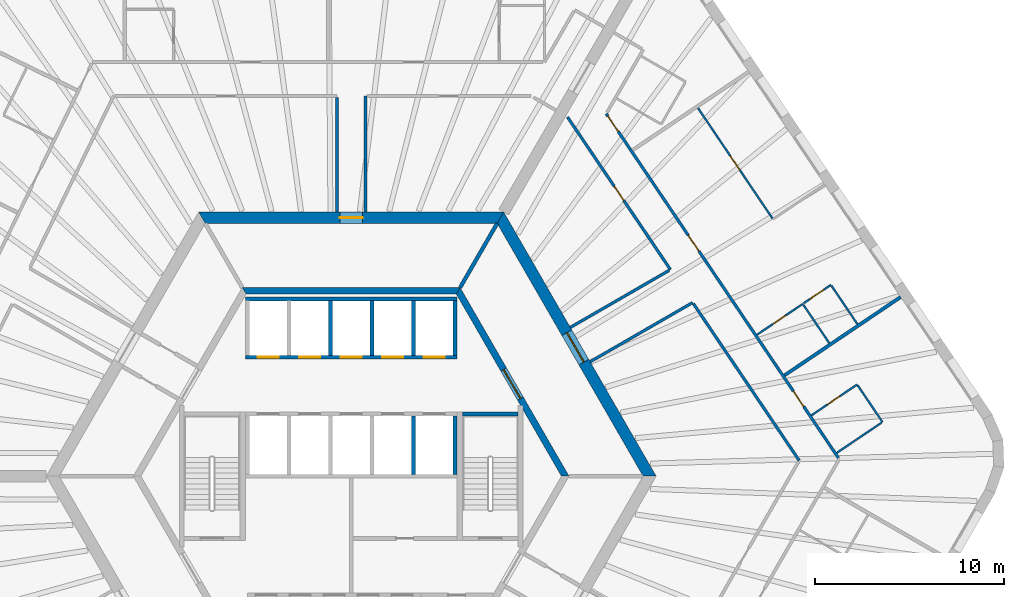
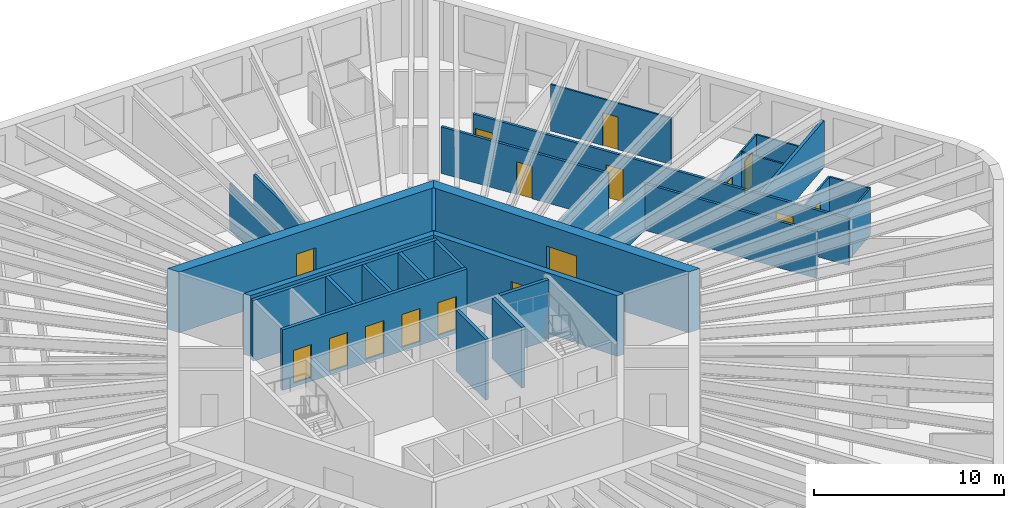
# One storey, part 9 of 12: 30 walls, 16 doors, 16 openings.
"""IFC4 building model written with IfcOpenShell, lengths in metres."""

from ifc_helpers import new_model, si_unit, direction, frame, frame_2d, origin, place, context, subcontext, project, spatial, polyline, rectangle, outline, extrude, material, layer, layer_set, type_object, element, fill, save


model = new_model("IFC4")

# Units and contexts
model_context = context("Model", 3, precision=1e-05, world=origin(), true_north=direction((0.0, 1.0)))
body_context = subcontext(model_context, "Body", "Model", "MODEL_VIEW")
ifc_project = project(units=[si_unit("LENGTHUNIT", "METRE"), si_unit("AREAUNIT", "SQUARE_METRE"), si_unit("VOLUMEUNIT", "CUBIC_METRE"), si_unit("PLANEANGLEUNIT", "RADIAN"), si_unit("MASSUNIT", "GRAM", prefix="KILO")], contexts=[model_context])

# Site, building, storey
site_placement = place(None, origin())
site = spatial("IfcSite", under=ifc_project, at=site_placement, CompositionType="ELEMENT")
building_placement = place(site_placement, origin())
building = spatial("IfcBuilding", under=site, at=building_placement, Name="Tarnside Tower", CompositionType="ELEMENT")
storey_placement = place(building_placement, frame((0.0, 0.0, 76.5)))
storey = spatial("IfcBuildingStorey", under=building, at=storey_placement, Name="L16", CompositionType="ELEMENT", Elevation=76.5)

# Wall, opening, door
ifc_material_1 = material(Name="Gypsum board partition on steel studs", Category="steel")
ifc_layer_1 = layer(ifc_material_1, 0.10009765625)
ifc_layer_set_1 = layer_set([ifc_layer_1], Name="Bathroom wall 100")
wall_type_1 = type_object("IfcWallType", Name="Bathroom wall 100", PredefinedType="PARTITIONING", material=ifc_layer_set_1)
wall_1_placement = place(storey_placement, frame((24.3916015625, 3.22509765625, 0.0), z_axis=(0.0, 0.0, 1.0), x_axis=(0.829033436212, 0.559199035802, 0.0)))
wall_1 = element("IfcWall", 1, at=wall_1_placement, inside=storey, type_object=wall_type_1, Name="Bathroom wall 04137", PredefinedType="PARTITIONING", context=body_context, shape_type="SweptSolid", body=[
    extrude(rectangle(XDim=2.925048828125, YDim=0.10009765625, at=frame_2d((1.46240234375, 0.0))), origin(), (0.0, 0.0, 1.0), 2.98779296875),
])
opening_1_placement = place(wall_1_placement, frame((1.02490234375, 0.0, 0.0)))
opening_1 = element("IfcOpeningElement", 2, at=opening_1_placement, cuts=wall_1, Name="Opening D-B1", PredefinedType="OPENING", context=body_context, shape_type="SweptSolid", body=[
    extrude(rectangle(XDim=0.800048828125, YDim=2.10009765625, at=frame_2d((0.39990234375, 1.050048828125))), frame((0.0, 0.06005859375, 0.0), z_axis=(0.0, -1.0, 0.0), x_axis=(1.0, 0.0, 0.0)), (0.0, 0.0, 1.0), 0.1201171875),
])
ifc_material_2 = material(Name="Timber door leaf", Category="wood")
door_type_1 = type_object("IfcDoorType", Name="Bathroom door 800", OperationType="NOTDEFINED", PredefinedType="DOOR", material=ifc_material_2)
door_1_placement = place(opening_1_placement, origin())
door_1 = element("IfcDoor", 3, at=door_1_placement, inside=storey, type_object=door_type_1, Name="Bathroom door 04034", OperationType="SINGLE_SWING_RIGHT", OverallHeight=2.10009765625, OverallWidth=0.800048828125, PredefinedType="DOOR", context=body_context, shape_type="SweptSolid", body=[
    extrude(rectangle(XDim=0.800048828125, YDim=2.10009765625, at=frame_2d((0.39990234375, 1.050048828125))), frame((0.0, 0.02490234375, 0.0), z_axis=(0.0, -1.0, 0.0), x_axis=(1.0, 0.0, 0.0)), (0.0, 0.0, 1.0), 0.050048828125),
])
fill(opening_1, door_1)

# Walls
wall_2_placement = place(storey_placement, frame((26.844482421875, 4.8193359375, 0.0), z_axis=(0.0, 0.0, 1.0), x_axis=(0.559223037199, -0.829017246302, 0.0)))
element("IfcWall", 4, at=wall_2_placement, inside=storey, type_object=wall_type_1, Name="Bathroom wall 04138", PredefinedType="PARTITIONING", context=body_context, shape_type="SweptSolid", body=[
    extrude(rectangle(XDim=2.35009765625, YDim=0.10009765625, at=frame_2d((1.175048828125, 0.0))), origin(), (0.0, 0.0, 1.0), 2.98779296875),
])
wall_3_placement = place(storey_placement, frame((28.1171875, 2.843017578125, 0.0), z_axis=(0.0, 0.0, 1.0), x_axis=(-0.82904649496, -0.559179675234, 0.0)))
element("IfcWall", 5, at=wall_3_placement, inside=storey, type_object=wall_type_1, Name="Bathroom wall 04139", PredefinedType="PARTITIONING", context=body_context, shape_type="SweptSolid", body=[
    extrude(rectangle(XDim=2.875, YDim=0.10009765625, at=frame_2d((1.4375, 0.0))), origin(), (0.0, 0.0, 1.0), 2.98779296875),
])

# Wall, opening, door
wall_4_placement = place(storey_placement, frame((21.509033203125, 7.49853515625, 0.0), z_axis=(0.0, 0.0, 1.0), x_axis=(0.829033436212, 0.559199035802, 0.0)))
wall_4 = element("IfcWall", 6, at=wall_4_placement, inside=storey, type_object=wall_type_1, Name="Bathroom wall 04143", PredefinedType="PARTITIONING", context=body_context, shape_type="SweptSolid", body=[
    extrude(rectangle(XDim=2.925048828125, YDim=0.10009765625, at=frame_2d((1.46240234375, 0.0))), origin(), (0.0, 0.0, 1.0), 2.98779296875),
])
opening_2_placement = place(wall_4_placement, frame((1.02490234375, 0.0, 0.0)))
opening_2 = element("IfcOpeningElement", 7, at=opening_2_placement, cuts=wall_4, Name="Opening D-B1", PredefinedType="OPENING", context=body_context, shape_type="SweptSolid", body=[
    extrude(rectangle(XDim=0.800048828125, YDim=2.10009765625, at=frame_2d((0.39990234375, 1.050048828125))), frame((0.0, 0.06005859375, 0.0), z_axis=(0.0, -1.0, 0.0), x_axis=(1.0, 0.0, 0.0)), (0.0, 0.0, 1.0), 0.1201171875),
])
door_2_placement = place(opening_2_placement, origin())
door_2 = element("IfcDoor", 8, at=door_2_placement, inside=storey, type_object=door_type_1, Name="Bathroom door 04036", OperationType="SINGLE_SWING_RIGHT", OverallHeight=2.10009765625, OverallWidth=0.800048828125, PredefinedType="DOOR", context=body_context, shape_type="SweptSolid", body=[
    extrude(rectangle(XDim=0.800048828125, YDim=2.10009765625, at=frame_2d((0.39990234375, 1.050048828125))), frame((0.0, 0.02490234375, 0.0), z_axis=(0.0, -1.0, 0.0), x_axis=(1.0, 0.0, 0.0)), (0.0, 0.0, 1.0), 0.050048828125),
])
fill(opening_2, door_2)

# Wall
wall_5_placement = place(storey_placement, frame((25.337646484375, 7.053466796875, 0.0), z_axis=(0.0, 0.0, 1.0), x_axis=(-0.559249542518, 0.82899936622, 0.0)))
element("IfcWall", 9, at=wall_5_placement, inside=storey, type_object=wall_type_1, Name="Bathroom wall 04149", PredefinedType="PARTITIONING", context=body_context, shape_type="SweptSolid", body=[
    extrude(rectangle(XDim=2.4599609375, YDim=0.10009765625, at=frame_2d((1.22998046875, 0.0))), origin(), (0.0, 0.0, 1.0), 2.98779296875),
])

# Wall, opening, door
ifc_material_3 = material(Name="Concrete C50/60", Category="concrete")
ifc_layer_2 = layer(ifc_material_3, 0.35009765625)
ifc_layer_set_2 = layer_set([ifc_layer_2], Name="Core block wall 350 C50/60")
wall_type_2 = type_object("IfcWallType", Name="Core block wall 350 C50/60", PredefinedType="SHEAR", material=ifc_layer_set_2)
wall_6_placement = place(storey_placement, frame((11.344970703125, 0.0, -0.14990234375), z_axis=(0.0, 0.0, 1.0), x_axis=(-0.499995046907, 0.866028263435, 0.0)))
wall_6 = element("IfcWall", 10, at=wall_6_placement, inside=storey, type_object=wall_type_2, Name="L16 core block wall face 6", PredefinedType="SHEAR", context=body_context, shape_type="SweptSolid", body=[
    extrude(outline(polyline([(-0.10107421875, -0.175048828125), (11.44580078125, -0.175048828125), (11.24365234375, 0.175048828125), (0.10107421875, 0.175048828125), (-0.10107421875, -0.175048828125)])), origin(), (0.0, 0.0, 1.0), 3.89990234375),
])
opening_3_placement = place(wall_6_placement, frame((4.74365234375, 0.0, 0.14990234375)))
opening_3 = element("IfcOpeningElement", 11, at=opening_3_placement, cuts=wall_6, Name="Opening CD-LOB", PredefinedType="OPENING", context=body_context, shape_type="SweptSolid", body=[
    extrude(rectangle(XDim=1.800048828125, YDim=2.39990234375, at=frame_2d((0.89990234375, 1.199951171875))), frame((0.0, 0.18505859375, 0.0), z_axis=(0.0, -1.0, 0.0), x_axis=(1.0, 0.0, 0.0)), (0.0, 0.0, 1.0), 0.3701171875),
])
ifc_material_4 = material(Name="Steel fire door", Category="steel")
door_type_2 = type_object("IfcDoorType", Name="Lobby double door FD30S 1800x2400", OperationType="NOTDEFINED", PredefinedType="DOOR", material=ifc_material_4)
door_3_placement = place(opening_3_placement, origin())
door_3 = element("IfcDoor", 12, at=door_3_placement, inside=storey, type_object=door_type_2, Name="L16 lobby block door P2", OperationType="DOUBLE_DOOR_SINGLE_SWING", OverallHeight=2.39990234375, OverallWidth=1.800048828125, PredefinedType="DOOR", context=body_context, shape_type="SweptSolid", body=[
    extrude(rectangle(XDim=1.800048828125, YDim=2.39990234375, at=frame_2d((0.89990234375, 1.199951171875))), frame((0.0, 0.02490234375, 0.0), z_axis=(0.0, -1.0, 0.0), x_axis=(1.0, 0.0, 0.0)), (0.0, 0.0, 1.0), 0.050048828125),
])
fill(opening_3, door_3)

# Wall
wall_7_placement = place(storey_placement, frame((5.672607421875, 9.824951171875, -0.14990234375), z_axis=(0.0, 0.0, 1.0), x_axis=(-1.0, 0.0, 0.0)))
element("IfcWall", 13, at=wall_7_placement, inside=storey, type_object=wall_type_2, Name="L16 core block wall face 1", PredefinedType="SHEAR", context=body_context, shape_type="SweptSolid", body=[
    extrude(outline(polyline([(-0.10107421875, -0.175048828125), (11.4462890625, -0.175048828125), (11.244140625, 0.175048828125), (0.10107421875, 0.175048828125), (-0.10107421875, -0.175048828125)])), origin(), (0.0, 0.0, 1.0), 3.89990234375),
])

# Wall, opening, door
ifc_material_5 = material(Name="Concrete C80/95", Category="concrete")
ifc_layer_3 = layer(ifc_material_5, 0.60009765625)
ifc_layer_set_3 = layer_set([ifc_layer_3], Name="Core wall Z1 600 C80/95")
wall_type_3 = type_object("IfcWallType", Name="Core wall Z1 600 C80/95", PredefinedType="SHEAR", material=ifc_layer_set_3)
wall_8_placement = place(storey_placement, frame((15.8193359375, 0.0, -0.14990234375), z_axis=(0.0, 0.0, 1.0), x_axis=(-0.499999880136, 0.866025472988, 0.0)))
wall_8 = element("IfcWall", 14, at=wall_8_placement, inside=storey, type_object=wall_type_3, Name="L16 core wall face 6", PredefinedType="SHEAR", context=body_context, shape_type="SweptSolid", body=[
    extrude(outline(polyline([(-0.17333984375, -0.300048828125), (15.99267578125, -0.300048828125), (15.64599609375, 0.300048828125), (0.17333984375, 0.300048828125), (-0.17333984375, -0.300048828125)])), origin(), (0.0, 0.0, 1.0), 3.89990234375),
])
opening_4_placement = place(wall_8_placement, frame((6.980712890625, 0.0, 0.14990234375)))
opening_4 = element("IfcOpeningElement", 15, at=opening_4_placement, cuts=wall_8, Name="Opening CD-LOB", PredefinedType="OPENING", context=body_context, shape_type="SweptSolid", body=[
    extrude(rectangle(XDim=1.800048828125, YDim=2.39990234375, at=frame_2d((0.89990234375, 1.199951171875))), frame((0.0, 0.31005859375, 0.0), z_axis=(0.0, -1.0, 0.0), x_axis=(1.0, 0.0, 0.0)), (0.0, 0.0, 1.0), 0.6201171875),
])
door_4_placement = place(opening_4_placement, origin())
door_4 = element("IfcDoor", 16, at=door_4_placement, inside=storey, type_object=door_type_2, Name="L16 core door P2", OperationType="DOUBLE_DOOR_SINGLE_SWING", OverallHeight=2.39990234375, OverallWidth=1.800048828125, PredefinedType="DOOR", context=body_context, shape_type="SweptSolid", body=[
    extrude(rectangle(XDim=1.800048828125, YDim=2.39990234375, at=frame_2d((0.89990234375, 1.199951171875))), frame((0.0, 0.02490234375, 0.0), z_axis=(0.0, -1.0, 0.0), x_axis=(1.0, 0.0, 0.0)), (0.0, 0.0, 1.0), 0.050048828125),
])
fill(opening_4, door_4)

wall_9_placement = place(storey_placement, frame((7.90966796875, 13.699951171875, -0.14990234375), z_axis=(0.0, 0.0, 1.0), x_axis=(-1.0, 0.0, 0.0)))
wall_9 = element("IfcWall", 17, at=wall_9_placement, inside=storey, type_object=wall_type_3, Name="L16 core wall face 1", PredefinedType="SHEAR", context=body_context, shape_type="SweptSolid", body=[
    extrude(outline(polyline([(-0.17333984375, -0.300048828125), (15.99267578125, -0.300048828125), (15.64599609375, 0.300048828125), (0.17333984375, 0.300048828125), (-0.17333984375, -0.300048828125)])), origin(), (0.0, 0.0, 1.0), 3.89990234375),
])
opening_5_placement = place(wall_9_placement, frame((7.309814453125, 0.0, 0.14990234375)))
opening_5 = element("IfcOpeningElement", 18, at=opening_5_placement, cuts=wall_9, Name="Opening CD-RSR", PredefinedType="OPENING", context=body_context, shape_type="SweptSolid", body=[
    extrude(rectangle(XDim=1.199951171875, YDim=2.39990234375, at=frame_2d((0.60009765625, 1.199951171875))), frame((0.0, 0.31005859375, 0.0), z_axis=(0.0, -1.0, 0.0), x_axis=(1.0, 0.0, 0.0)), (0.0, 0.0, 1.0), 0.6201171875),
])
door_type_3 = type_object("IfcDoorType", Name="Riser door FD60 1200x2400", OperationType="NOTDEFINED", PredefinedType="DOOR", material=ifc_material_4)
door_5_placement = place(opening_5_placement, origin())
door_5 = element("IfcDoor", 19, at=door_5_placement, inside=storey, type_object=door_type_3, Name="L16 core door S5", OperationType="SINGLE_SWING_LEFT", OverallHeight=2.39990234375, OverallWidth=1.199951171875, PredefinedType="DOOR", context=body_context, shape_type="SweptSolid", body=[
    extrude(rectangle(XDim=1.199951171875, YDim=2.39990234375, at=frame_2d((0.60009765625, 1.199951171875))), frame((0.0, 0.02490234375, 0.0), z_axis=(0.0, -1.0, 0.0), x_axis=(1.0, 0.0, 0.0)), (0.0, 0.0, 1.0), 0.050048828125),
])
fill(opening_5, door_5)

# Walls
ifc_layer_4 = layer(ifc_material_1, 0.14990234375)
ifc_layer_set_4 = layer_set([ifc_layer_4], Name="Corridor wall 150 EI 60")
wall_type_4 = type_object("IfcWallType", Name="Corridor wall 150 EI 60", PredefinedType="PARTITIONING", material=ifc_layer_set_4)
wall_10_placement = place(storey_placement, frame((-0.75, 20.074951171875, 0.0), z_axis=(0.0, 0.0, 1.0), x_axis=(0.0, -1.0, 0.0)))
element("IfcWall", 20, at=wall_10_placement, inside=storey, type_object=wall_type_4, Name="Corridor wall 04019", PredefinedType="PARTITIONING", context=body_context, shape_type="SweptSolid", body=[
    extrude(rectangle(XDim=6.074951171875, YDim=0.14990234375, at=frame_2d((3.03759765625, 0.0))), origin(), (0.0, 0.0, 1.0), 2.98779296875),
])
wall_11_placement = place(storey_placement, frame((0.75, 14.0, 0.0), z_axis=(0.0, 0.0, 1.0), x_axis=(0.0, 1.0, 0.0)))
element("IfcWall", 21, at=wall_11_placement, inside=storey, type_object=wall_type_4, Name="Corridor wall 04020", PredefinedType="PARTITIONING", context=body_context, shape_type="SweptSolid", body=[
    extrude(rectangle(XDim=6.14990234375, YDim=0.14990234375, at=frame_2d((3.074951171875, 0.0))), origin(), (0.0, 0.0, 1.0), 2.98779296875),
])

# Wall, openings, doors
wall_12_placement = place(storey_placement, frame((25.820556640625, 0.972412109375, 0.0), z_axis=(0.0, 0.0, 1.0), x_axis=(-0.559193816298, 0.829036956845, 0.0)))
wall_12 = element("IfcWall", 22, at=wall_12_placement, inside=storey, type_object=wall_type_4, Name="Corridor wall 04056", PredefinedType="PARTITIONING", context=body_context, shape_type="SweptSolid", body=[
    extrude(rectangle(XDim=22.001708984375, YDim=0.14990234375, at=frame_2d((11.0009765625, 0.0))), origin(), (0.0, 0.0, 1.0), 2.98779296875),
])
opening_6_placement = place(wall_12_placement, frame((3.26904296875, 0.0, 0.0)))
opening_6 = element("IfcOpeningElement", 23, at=opening_6_placement, cuts=wall_12, Name="Opening D-E1", PredefinedType="OPENING", context=body_context, shape_type="SweptSolid", body=[
    extrude(rectangle(XDim=1.0, YDim=2.10009765625, at=frame_2d((0.5, 1.050048828125))), frame((0.0, 0.0849609375, 0.0), z_axis=(0.0, -1.0, 0.0), x_axis=(1.0, 0.0, 0.0)), (0.0, 0.0, 1.0), 0.169921875),
])
opening_7_placement = place(wall_12_placement, frame((13.221435546875, 0.0, 0.0)))
opening_7 = element("IfcOpeningElement", 24, at=opening_7_placement, cuts=wall_12, Name="Opening D-E1", PredefinedType="OPENING", context=body_context, shape_type="SweptSolid", body=[
    extrude(rectangle(XDim=1.0, YDim=2.10009765625, at=frame_2d((0.5, 1.050048828125))), frame((0.0, 0.0849609375, 0.0), z_axis=(0.0, -1.0, 0.0), x_axis=(1.0, 0.0, 0.0)), (0.0, 0.0, 1.0), 0.169921875),
])
opening_8_placement = place(wall_12_placement, frame((20.851806640625, 0.0, 0.0)))
opening_8 = element("IfcOpeningElement", 25, at=opening_8_placement, cuts=wall_12, Name="Opening D-E1", PredefinedType="OPENING", context=body_context, shape_type="SweptSolid", body=[
    extrude(rectangle(XDim=1.0, YDim=2.10009765625, at=frame_2d((0.5, 1.050048828125))), frame((0.0, 0.0849609375, 0.0), z_axis=(0.0, -1.0, 0.0), x_axis=(1.0, 0.0, 0.0)), (0.0, 0.0, 1.0), 0.169921875),
])
door_type_4 = type_object("IfcDoorType", Name="Unit entrance door 1000 FD30S", OperationType="NOTDEFINED", PredefinedType="DOOR", material=ifc_material_2)
door_6_placement = place(opening_6_placement, origin())
door_6 = element("IfcDoor", 26, at=door_6_placement, inside=storey, type_object=door_type_4, Name="Unit door 04033", OperationType="SINGLE_SWING_LEFT", OverallHeight=2.10009765625, OverallWidth=1.0, PredefinedType="DOOR", context=body_context, shape_type="SweptSolid", body=[
    extrude(rectangle(XDim=1.0, YDim=2.10009765625, at=frame_2d((0.5, 1.050048828125))), frame((0.0, 0.02490234375, 0.0), z_axis=(0.0, -1.0, 0.0), x_axis=(1.0, 0.0, 0.0)), (0.0, 0.0, 1.0), 0.050048828125),
])
fill(opening_6, door_6)
door_7_placement = place(opening_7_placement, origin())
door_7 = element("IfcDoor", 27, at=door_7_placement, inside=storey, type_object=door_type_4, Name="Unit door 04035", OperationType="SINGLE_SWING_LEFT", OverallHeight=2.10009765625, OverallWidth=1.0, PredefinedType="DOOR", context=body_context, shape_type="SweptSolid", body=[
    extrude(rectangle(XDim=1.0, YDim=2.10009765625, at=frame_2d((0.5, 1.050048828125))), frame((0.0, 0.02490234375, 0.0), z_axis=(0.0, -1.0, 0.0), x_axis=(1.0, 0.0, 0.0)), (0.0, 0.0, 1.0), 0.050048828125),
])
fill(opening_7, door_7)
door_8_placement = place(opening_8_placement, origin())
door_8 = element("IfcDoor", 28, at=door_8_placement, inside=storey, type_object=door_type_4, Name="Unit door 04039", OperationType="SINGLE_SWING_LEFT", OverallHeight=2.10009765625, OverallWidth=1.0, PredefinedType="DOOR", context=body_context, shape_type="SweptSolid", body=[
    extrude(rectangle(XDim=1.0, YDim=2.10009765625, at=frame_2d((0.5, 1.050048828125))), frame((0.0, 0.02490234375, 0.0), z_axis=(0.0, -1.0, 0.0), x_axis=(1.0, 0.0, 0.0)), (0.0, 0.0, 1.0), 0.050048828125),
])
fill(opening_8, door_8)

# Walls
wall_13_placement = place(storey_placement, frame((12.663818359375, 6.065673828125, 0.0), z_axis=(0.0, 0.0, 1.0), x_axis=(0.866036561919, 0.499980673046, 0.0)))
element("IfcWall", 29, at=wall_13_placement, inside=storey, type_object=wall_type_4, Name="Corridor wall 04067", PredefinedType="PARTITIONING", context=body_context, shape_type="SweptSolid", body=[
    extrude(rectangle(XDim=6.274658203125, YDim=0.14990234375, at=frame_2d((3.13720703125, 0.0))), origin(), (0.0, 0.0, 1.0), 2.98779296875),
])
wall_14_placement = place(storey_placement, frame((18.139892578125, 9.140625, 0.0), z_axis=(0.0, 0.0, 1.0), x_axis=(0.55918799196, -0.829040885389, 0.0)))
element("IfcWall", 30, at=wall_14_placement, inside=storey, type_object=wall_type_4, Name="Corridor wall 04068", PredefinedType="PARTITIONING", context=body_context, shape_type="SweptSolid", body=[
    extrude(rectangle(XDim=10.025146484375, YDim=0.14990234375, at=frame_2d((5.0126953125, 0.0))), origin(), (0.0, 0.0, 1.0), 2.98779296875),
])

# Wall, opening, door
wall_15_placement = place(storey_placement, frame((11.464599609375, 19.037109375, 0.0), z_axis=(0.0, 0.0, 1.0), x_axis=(0.559196064773, -0.829035440221, 0.0)))
wall_15 = element("IfcWall", 31, at=wall_15_placement, inside=storey, type_object=wall_type_4, Name="Corridor wall 04074", PredefinedType="PARTITIONING", context=body_context, shape_type="SweptSolid", body=[
    extrude(rectangle(XDim=9.757080078125, YDim=0.14990234375, at=frame_2d((4.87841796875, 0.0))), origin(), (0.0, 0.0, 1.0), 2.98779296875),
])
opening_9_placement = place(wall_15_placement, frame((4.428466796875, 0.0, 0.0)))
opening_9 = element("IfcOpeningElement", 32, at=opening_9_placement, cuts=wall_15, Name="Opening D-S1", PredefinedType="OPENING", context=body_context, shape_type="SweptSolid", body=[
    extrude(rectangle(XDim=0.89990234375, YDim=2.10009765625, at=frame_2d((0.449951171875, 1.050048828125))), frame((0.0, 0.0849609375, 0.0), z_axis=(0.0, -1.0, 0.0), x_axis=(1.0, 0.0, 0.0)), (0.0, 0.0, 1.0), 0.169921875),
])
door_type_5 = type_object("IfcDoorType", Name="Service room door 900 FD30S", OperationType="NOTDEFINED", PredefinedType="DOOR", material=ifc_material_2)
door_9_placement = place(opening_9_placement, origin())
door_9 = element("IfcDoor", 33, at=door_9_placement, inside=storey, type_object=door_type_5, Name="Service door 04049", OperationType="SINGLE_SWING_RIGHT", OverallHeight=2.10009765625, OverallWidth=0.89990234375, PredefinedType="DOOR", context=body_context, shape_type="SweptSolid", body=[
    extrude(rectangle(XDim=0.89990234375, YDim=2.10009765625, at=frame_2d((0.449951171875, 1.050048828125))), frame((0.0, 0.02490234375, 0.0), z_axis=(0.0, -1.0, 0.0), x_axis=(1.0, 0.0, 0.0)), (0.0, 0.0, 1.0), 0.050048828125),
])
fill(opening_9, door_9)

# Walls
wall_16_placement = place(storey_placement, frame((16.85546875, 10.91064453125, 0.0), z_axis=(0.0, 0.0, 1.0), x_axis=(-0.866020343444, -0.500008764664, 0.0)))
element("IfcWall", 34, at=wall_16_placement, inside=storey, type_object=wall_type_4, Name="Corridor wall 04075", PredefinedType="PARTITIONING", context=body_context, shape_type="SweptSolid", body=[
    extrude(rectangle(XDim=6.052734375, YDim=0.14990234375, at=frame_2d((3.0263671875, 0.0))), origin(), (0.0, 0.0, 1.0), 2.98779296875),
])
ifc_layer_5 = layer(ifc_material_1, 0.179931640625)
ifc_layer_set_5 = layer_set([ifc_layer_5], Name="Demising wall 180 EI 60")
wall_type_5 = type_object("IfcWallType", Name="Demising wall 180 EI 60", PredefinedType="PARTITIONING", material=ifc_layer_set_5)
wall_17_placement = place(storey_placement, frame((29.11865234375, 9.4951171875, 0.0), z_axis=(0.0, 0.0, 1.0), x_axis=(-0.829038452737, -0.559191598545, 0.0)))
element("IfcWall", 35, at=wall_17_placement, inside=storey, type_object=wall_type_5, Name="Demising wall 04140", PredefinedType="PARTITIONING", context=body_context, shape_type="SweptSolid", body=[
    extrude(rectangle(XDim=7.42529296875, YDim=0.179931640625, at=frame_2d((3.712646484375, 0.0))), origin(), (0.0, 0.0, 1.0), 2.98779296875),
])

# Wall, openings, doors
ifc_material_6 = material(Name="Concrete C40/50", Category="concrete")
ifc_layer_6 = layer(ifc_material_6, 0.199951171875)
ifc_layer_set_6 = layer_set([ifc_layer_6], Name="Lift shaft wall 200 C40/50")
wall_type_6 = type_object("IfcWallType", Name="Lift shaft wall 200 C40/50", PredefinedType="SHEAR", material=ifc_layer_set_6)
wall_18_placement = place(storey_placement, frame((-5.60009765625, 6.300048828125, -0.25), z_axis=(0.0, 0.0, 1.0), x_axis=(1.0, 0.0, 0.0)))
wall_18 = element("IfcWall", 36, at=wall_18_placement, inside=storey, type_object=wall_type_6, Name="L16 lift shaft front wall R1", PredefinedType="SHEAR", context=body_context, shape_type="SweptSolid", body=[
    extrude(rectangle(XDim=11.2001953125, YDim=0.199951171875, at=frame_2d((5.60009765625, 0.0))), origin(), (0.0, 0.0, 1.0), 3.89990234375),
])
opening_10_placement = place(wall_18_placement, frame((0.64990234375, 0.0, 0.25)))
opening_10 = element("IfcOpeningElement", 37, at=opening_10_placement, cuts=wall_18, Name="Opening LD", PredefinedType="OPENING", context=body_context, shape_type="SweptSolid", body=[
    extrude(rectangle(XDim=1.10009765625, YDim=2.10009765625, at=frame_2d((0.550048828125, 1.050048828125))), frame((0.0, 0.10986328125, 0.0), z_axis=(0.0, -1.0, 0.0), x_axis=(1.0, 0.0, 0.0)), (0.0, 0.0, 1.0), 0.219970703125),
])
opening_11_placement = place(wall_18_placement, frame((2.85009765625, 0.0, 0.25)))
opening_11 = element("IfcOpeningElement", 38, at=opening_11_placement, cuts=wall_18, Name="Opening LD", PredefinedType="OPENING", context=body_context, shape_type="SweptSolid", body=[
    extrude(rectangle(XDim=1.10009765625, YDim=2.10009765625, at=frame_2d((0.550048828125, 1.050048828125))), frame((0.0, 0.10986328125, 0.0), z_axis=(0.0, -1.0, 0.0), x_axis=(1.0, 0.0, 0.0)), (0.0, 0.0, 1.0), 0.219970703125),
])
opening_12_placement = place(wall_18_placement, frame((5.050048828125, 0.0, 0.25)))
opening_12 = element("IfcOpeningElement", 39, at=opening_12_placement, cuts=wall_18, Name="Opening LD", PredefinedType="OPENING", context=body_context, shape_type="SweptSolid", body=[
    extrude(rectangle(XDim=1.10009765625, YDim=2.10009765625, at=frame_2d((0.550048828125, 1.050048828125))), frame((0.0, 0.10986328125, 0.0), z_axis=(0.0, -1.0, 0.0), x_axis=(1.0, 0.0, 0.0)), (0.0, 0.0, 1.0), 0.219970703125),
])
opening_13_placement = place(wall_18_placement, frame((7.25, 0.0, 0.25)))
opening_13 = element("IfcOpeningElement", 40, at=opening_13_placement, cuts=wall_18, Name="Opening LD", PredefinedType="OPENING", context=body_context, shape_type="SweptSolid", body=[
    extrude(rectangle(XDim=1.10009765625, YDim=2.10009765625, at=frame_2d((0.550048828125, 1.050048828125))), frame((0.0, 0.10986328125, 0.0), z_axis=(0.0, -1.0, 0.0), x_axis=(1.0, 0.0, 0.0)), (0.0, 0.0, 1.0), 0.219970703125),
])
opening_14_placement = place(wall_18_placement, frame((9.449951171875, 0.0, 0.25)))
opening_14 = element("IfcOpeningElement", 41, at=opening_14_placement, cuts=wall_18, Name="Opening LD", PredefinedType="OPENING", context=body_context, shape_type="SweptSolid", body=[
    extrude(rectangle(XDim=1.10009765625, YDim=2.10009765625, at=frame_2d((0.550048828125, 1.050048828125))), frame((0.0, 0.10986328125, 0.0), z_axis=(0.0, -1.0, 0.0), x_axis=(1.0, 0.0, 0.0)), (0.0, 0.0, 1.0), 0.219970703125),
])
ifc_material_7 = material(Name="Stainless steel", Category="steel")
door_type_6 = type_object("IfcDoorType", Name="Lift landing door 1100x2100", OperationType="NOTDEFINED", PredefinedType="DOOR", material=ifc_material_7)
door_10_placement = place(opening_10_placement, origin())
door_10 = element("IfcDoor", 42, at=door_10_placement, inside=storey, type_object=door_type_6, Name="Low-rise lift 1 landing door L16", OperationType="SLIDING_TO_LEFT", OverallHeight=2.10009765625, OverallWidth=1.10009765625, PredefinedType="DOOR", context=body_context, shape_type="SweptSolid", body=[
    extrude(rectangle(XDim=1.10009765625, YDim=2.10009765625, at=frame_2d((0.550048828125, 1.050048828125))), frame((0.0, 0.02490234375, 0.0), z_axis=(0.0, -1.0, 0.0), x_axis=(1.0, 0.0, 0.0)), (0.0, 0.0, 1.0), 0.050048828125),
])
fill(opening_10, door_10)
door_11_placement = place(opening_11_placement, origin())
door_11 = element("IfcDoor", 43, at=door_11_placement, inside=storey, type_object=door_type_6, Name="Low-rise lift 2 landing door L16", OperationType="SLIDING_TO_LEFT", OverallHeight=2.10009765625, OverallWidth=1.10009765625, PredefinedType="DOOR", context=body_context, shape_type="SweptSolid", body=[
    extrude(rectangle(XDim=1.10009765625, YDim=2.10009765625, at=frame_2d((0.550048828125, 1.050048828125))), frame((0.0, 0.02490234375, 0.0), z_axis=(0.0, -1.0, 0.0), x_axis=(1.0, 0.0, 0.0)), (0.0, 0.0, 1.0), 0.050048828125),
])
fill(opening_11, door_11)
door_12_placement = place(opening_12_placement, origin())
door_12 = element("IfcDoor", 44, at=door_12_placement, inside=storey, type_object=door_type_6, Name="Low-rise lift 3 landing door L16", OperationType="SLIDING_TO_LEFT", OverallHeight=2.10009765625, OverallWidth=1.10009765625, PredefinedType="DOOR", context=body_context, shape_type="SweptSolid", body=[
    extrude(rectangle(XDim=1.10009765625, YDim=2.10009765625, at=frame_2d((0.550048828125, 1.050048828125))), frame((0.0, 0.02490234375, 0.0), z_axis=(0.0, -1.0, 0.0), x_axis=(1.0, 0.0, 0.0)), (0.0, 0.0, 1.0), 0.050048828125),
])
fill(opening_12, door_12)
door_13_placement = place(opening_13_placement, origin())
door_13 = element("IfcDoor", 45, at=door_13_placement, inside=storey, type_object=door_type_6, Name="Low sky-lobby shuttle 1 landing door L16", OperationType="SLIDING_TO_LEFT", OverallHeight=2.10009765625, OverallWidth=1.10009765625, PredefinedType="DOOR", context=body_context, shape_type="SweptSolid", body=[
    extrude(rectangle(XDim=1.10009765625, YDim=2.10009765625, at=frame_2d((0.550048828125, 1.050048828125))), frame((0.0, 0.02490234375, 0.0), z_axis=(0.0, -1.0, 0.0), x_axis=(1.0, 0.0, 0.0)), (0.0, 0.0, 1.0), 0.050048828125),
])
fill(opening_13, door_13)
door_14_placement = place(opening_14_placement, origin())
door_14 = element("IfcDoor", 46, at=door_14_placement, inside=storey, type_object=door_type_6, Name="Low sky-lobby shuttle 2 landing door L16", OperationType="SLIDING_TO_LEFT", OverallHeight=2.10009765625, OverallWidth=1.10009765625, PredefinedType="DOOR", context=body_context, shape_type="SweptSolid", body=[
    extrude(rectangle(XDim=1.10009765625, YDim=2.10009765625, at=frame_2d((0.550048828125, 1.050048828125))), frame((0.0, 0.02490234375, 0.0), z_axis=(0.0, -1.0, 0.0), x_axis=(1.0, 0.0, 0.0)), (0.0, 0.0, 1.0), 0.050048828125),
])
fill(opening_14, door_14)

# Walls
wall_19_placement = place(storey_placement, frame((-5.60009765625, 9.39990234375, -0.25), z_axis=(0.0, 0.0, 1.0), x_axis=(1.0, 0.0, 0.0)))
element("IfcWall", 47, at=wall_19_placement, inside=storey, type_object=wall_type_6, Name="L16 lift shaft back wall R1", PredefinedType="SHEAR", context=body_context, shape_type="SweptSolid", body=[
    extrude(rectangle(XDim=11.2001953125, YDim=0.199951171875, at=frame_2d((5.60009765625, 0.0))), origin(), (0.0, 0.0, 1.0), 3.89990234375),
])
for number, where, z_axis, x_axis, name in (
    (48, (-1.10009765625, 6.39990234375, -0.25), (0.0, 0.0, 1.0), (0.0, 1.0, 0.0), "L16 lift shaft partition R13"),
    (49, (1.10009765625, 6.39990234375, -0.25), (0.0, 0.0, 1.0), (0.0, 1.0, 0.0), "L16 lift shaft partition R14"),
    (50, (3.300048828125, 6.39990234375, -0.25), (0.0, 0.0, 1.0), (0.0, 1.0, 0.0), "L16 lift shaft partition R15"),
    (51, (5.5, 6.39990234375, -0.25), (0.0, 0.0, 1.0), (0.0, 1.0, 0.0), "L16 lift shaft partition R16"),
):
    element("IfcWall", number, at=place(storey_placement, frame(where, z_axis=z_axis, x_axis=x_axis)), inside=storey, type_object=wall_type_6, Name=name, PredefinedType="SHEAR", context=body_context, shape_type="SweptSolid", body=[
        extrude(rectangle(XDim=2.900146484375, YDim=0.199951171875, at=frame_2d((1.4501953125, 0.0))), origin(), (0.0, 0.0, 1.0), 3.89990234375),
    ])
for number, where, z_axis, x_axis, name in (
    (52, (3.300048828125, 0.10009765625, -0.25), (0.0, 0.0, 1.0), (0.0, 1.0, 0.0), "L16 lift shaft partition R25"),
    (53, (5.5, 0.10009765625, -0.25), (0.0, 0.0, 1.0), (0.0, 1.0, 0.0), "L16 lift shaft partition R26"),
):
    element("IfcWall", number, at=place(storey_placement, frame(where, z_axis=z_axis, x_axis=x_axis)), inside=storey, type_object=wall_type_6, Name=name, PredefinedType="SHEAR", context=body_context, shape_type="SweptSolid", body=[
        extrude(rectangle(XDim=3.099853515625, YDim=0.199951171875, at=frame_2d((1.5498046875, 0.0))), origin(), (0.0, 0.0, 1.0), 3.89990234375),
    ])
wall_20_placement = place(storey_placement, frame((5.7734375, 10.0, -0.14990234375), z_axis=(0.0, 0.0, 1.0), x_axis=(0.500038251005, 0.86600331843, 0.0)))
element("IfcWall", 54, at=wall_20_placement, inside=storey, type_object=wall_type_6, Name="L16 core partition AR60", PredefinedType="SHEAR", context=body_context, shape_type="SweptSolid", body=[
    extrude(rectangle(XDim=3.926025390625, YDim=0.199951171875, at=frame_2d((1.962890625, 0.0))), origin(), (0.0, 0.0, 1.0), 3.89990234375),
])
wall_21_placement = place(storey_placement, frame((5.89990234375, 3.300048828125, -0.25), z_axis=(0.0, 0.0, 1.0), x_axis=(1.0, 0.0, 0.0)))
element("IfcWall", 55, at=wall_21_placement, inside=storey, type_object=wall_type_6, Name="L16 stair 1 enclosure cap wall n", PredefinedType="SHEAR", context=body_context, shape_type="SweptSolid", body=[
    extrude(rectangle(XDim=2.9501953125, YDim=0.199951171875, at=frame_2d((1.47509765625, 0.0))), origin(), (0.0, 0.0, 1.0), 3.89990234375),
])

# Wall, opening, door
ifc_layer_7 = layer(ifc_material_1, 0.10009765625)
ifc_layer_set_7 = layer_set([ifc_layer_7], Name="Partition 100")
wall_type_7 = type_object("IfcWallType", Name="Partition 100", PredefinedType="PARTITIONING", material=ifc_layer_set_7)
wall_22_placement = place(storey_placement, frame((23.975341796875, 9.162109375, 0.0), z_axis=(0.0, 0.0, 1.0), x_axis=(0.829011970545, 0.559230858138, 0.0)))
wall_22 = element("IfcWall", 56, at=wall_22_placement, inside=storey, type_object=wall_type_7, Name="Partition wall 04144", PredefinedType="PARTITIONING", context=body_context, shape_type="SweptSolid", body=[
    extrude(rectangle(XDim=1.750244140625, YDim=0.10009765625, at=frame_2d((0.875, 0.0))), origin(), (0.0, 0.0, 1.0), 2.98779296875),
])
opening_15_placement = place(wall_22_placement, frame((0.39990234375, 0.0, 0.0)))
opening_15 = element("IfcOpeningElement", 57, at=opening_15_placement, cuts=wall_22, Name="Opening D-I1", PredefinedType="OPENING", context=body_context, shape_type="SweptSolid", body=[
    extrude(rectangle(XDim=0.89990234375, YDim=2.10009765625, at=frame_2d((0.449951171875, 1.050048828125))), frame((0.0, 0.06005859375, 0.0), z_axis=(0.0, -1.0, 0.0), x_axis=(1.0, 0.0, 0.0)), (0.0, 0.0, 1.0), 0.1201171875),
])
door_type_7 = type_object("IfcDoorType", Name="Internal door 900", OperationType="NOTDEFINED", PredefinedType="DOOR", material=ifc_material_2)
door_15_placement = place(opening_15_placement, origin())
door_15 = element("IfcDoor", 58, at=door_15_placement, inside=storey, type_object=door_type_7, Name="Internal door 04037", OperationType="SINGLE_SWING_LEFT", OverallHeight=2.10009765625, OverallWidth=0.89990234375, PredefinedType="DOOR", context=body_context, shape_type="SweptSolid", body=[
    extrude(rectangle(XDim=0.89990234375, YDim=2.10009765625, at=frame_2d((0.449951171875, 1.050048828125))), frame((0.0, 0.02490234375, 0.0), z_axis=(0.0, -1.0, 0.0), x_axis=(1.0, 0.0, 0.0)), (0.0, 0.0, 1.0), 0.050048828125),
])
fill(opening_15, door_15)

# Wall
wall_23_placement = place(storey_placement, frame((25.454345703125, 10.099365234375, 0.0), z_axis=(0.0, 0.0, 1.0), x_axis=(0.559135322609, -0.829076408427, 0.0)))
element("IfcWall", 59, at=wall_23_placement, inside=storey, type_object=wall_type_7, Name="Partition wall 04145", PredefinedType="PARTITIONING", context=body_context, shape_type="SweptSolid", body=[
    extrude(rectangle(XDim=2.4599609375, YDim=0.10009765625, at=frame_2d((1.22998046875, 0.0))), origin(), (0.0, 0.0, 1.0), 2.98779296875),
])

# Wall, opening, door
wall_24_placement = place(storey_placement, frame((22.32861328125, 13.660400390625, 0.0), z_axis=(0.0, 0.0, 1.0), x_axis=(-0.559216845309, 0.829021423078, 0.0)))
wall_24 = element("IfcWall", 60, at=wall_24_placement, inside=storey, type_object=wall_type_7, Name="Partition wall 04147", PredefinedType="PARTITIONING", context=body_context, shape_type="SweptSolid", body=[
    extrude(rectangle(XDim=7.059814453125, YDim=0.10009765625, at=frame_2d((3.52978515625, 0.0))), origin(), (0.0, 0.0, 1.0), 2.98779296875),
])
opening_16_placement = place(wall_24_placement, frame((3.10009765625, 0.0, 0.0)))
opening_16 = element("IfcOpeningElement", 61, at=opening_16_placement, cuts=wall_24, Name="Opening D-I1", PredefinedType="OPENING", context=body_context, shape_type="SweptSolid", body=[
    extrude(rectangle(XDim=0.89990234375, YDim=2.10009765625, at=frame_2d((0.449951171875, 1.050048828125))), frame((0.0, 0.06005859375, 0.0), z_axis=(0.0, -1.0, 0.0), x_axis=(1.0, 0.0, 0.0)), (0.0, 0.0, 1.0), 0.1201171875),
])
door_16_placement = place(opening_16_placement, origin())
door_16 = element("IfcDoor", 62, at=door_16_placement, inside=storey, type_object=door_type_7, Name="Internal door 04038", OperationType="SINGLE_SWING_RIGHT", OverallHeight=2.10009765625, OverallWidth=0.89990234375, PredefinedType="DOOR", context=body_context, shape_type="SweptSolid", body=[
    extrude(rectangle(XDim=0.89990234375, YDim=2.10009765625, at=frame_2d((0.449951171875, 1.050048828125))), frame((0.0, 0.02490234375, 0.0), z_axis=(0.0, -1.0, 0.0), x_axis=(1.0, 0.0, 0.0)), (0.0, 0.0, 1.0), 0.050048828125),
])
fill(opening_16, door_16)

save(model, "model.ifc")
